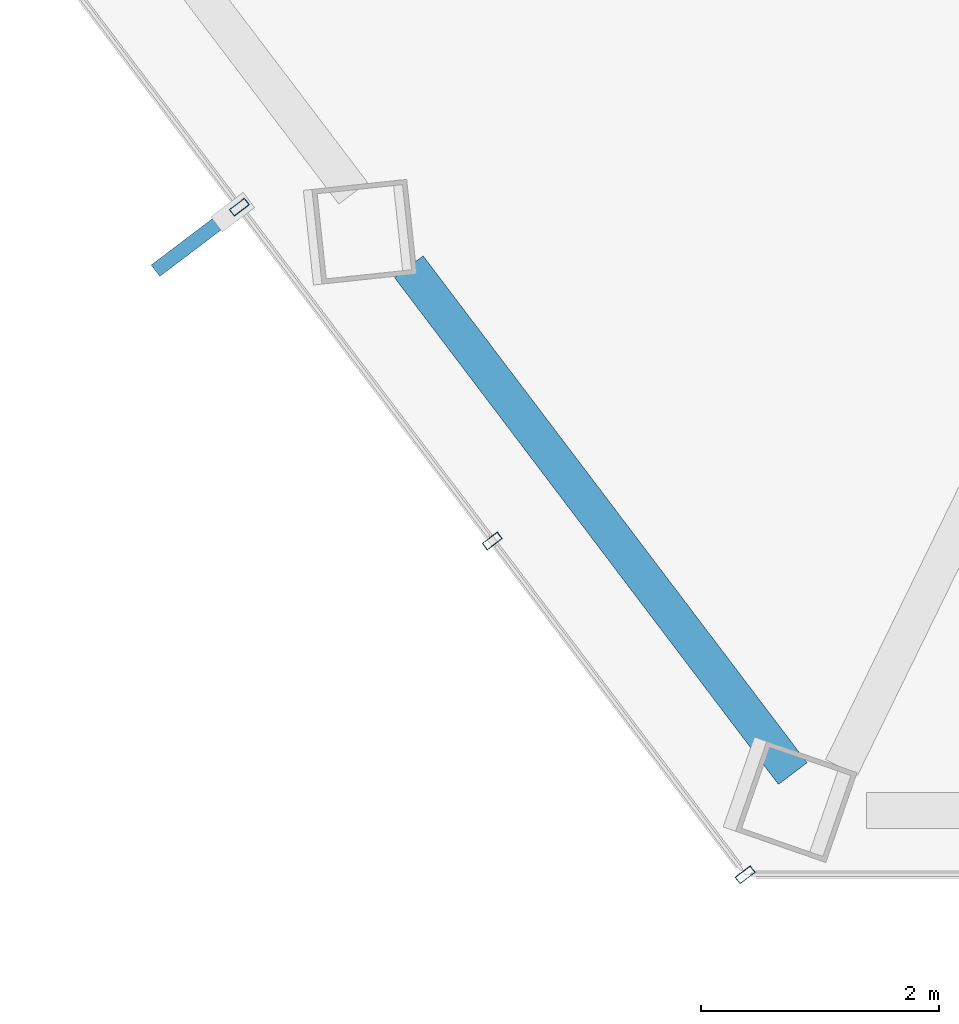
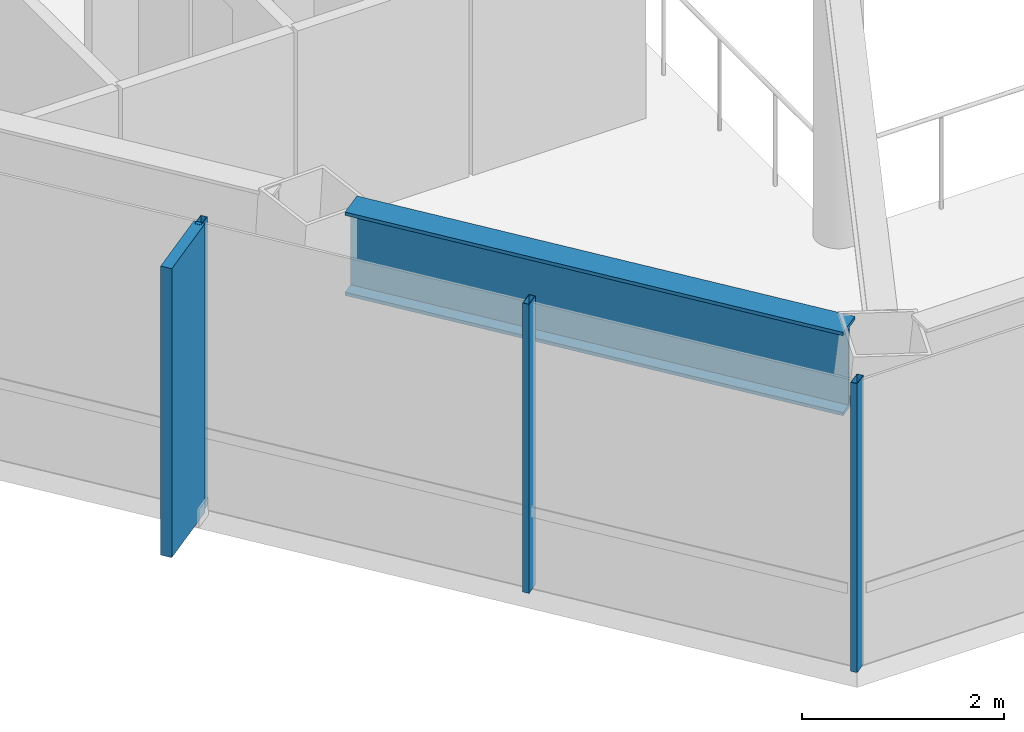
# One storey, part 2 of 28: 4 members, 1 beam, 1 element without a shape of its own.
"""IFC4 building model written with IfcOpenShell, lengths in metres."""

from ifc_helpers import new_model, si_unit, direction, frame, origin, origin_2d, place, context, subcontext, project, spatial, rectangle, hollow_rectangle, i_section, extrude, material, layer, layer_set, material_profile, profile_set, type_object, element, aggregate, save


model = new_model("IFC4")

# Units and contexts
model_context = context("Model", 3, precision=1e-05, world=origin(), true_north=direction((0.0, 1.0)))
body_context = subcontext(model_context, "Body", "Model", "MODEL_VIEW")
ifc_project = project(units=[si_unit("LENGTHUNIT", "METRE"), si_unit("AREAUNIT", "SQUARE_METRE"), si_unit("VOLUMEUNIT", "CUBIC_METRE"), si_unit("PLANEANGLEUNIT", "RADIAN"), si_unit("MASSUNIT", "GRAM", prefix="KILO")], contexts=[model_context])

# Site, building, storey
site_placement = place(None, origin())
site = spatial("IfcSite", under=ifc_project, at=site_placement, CompositionType="ELEMENT")
building_placement = place(site_placement, origin())
building = spatial("IfcBuilding", under=site, at=building_placement, Name="Zarrinselat Tower", CompositionType="ELEMENT")
storey_placement = place(building_placement, frame((0.0, 0.0, 153.340087890625)))
storey = spatial("IfcBuildingStorey", under=building, at=storey_placement, Name="L37", CompositionType="ELEMENT", Elevation=153.340087890625)

# Beam
ifc_material_1 = material(Name="Steel S460M", Category="steel")
ifc_material_profile_1 = material_profile(ifc_material_1, i_section(OverallWidth=0.302001953125, OverallDepth=1.008056640625, WebThickness=0.02099609375, FlangeThickness=0.0400390625, at=origin_2d()), Name="HEM 1000")
ifc_profile_set_1 = profile_set([ifc_material_profile_1], Name="Steel S460M")
beam_type = type_object("IfcBeamType", Name="BM-HEM1000", PredefinedType="BEAM", material=ifc_profile_set_1)
beam_placement = place(storey_placement, frame((27.390869140625, 22.9453125, 2.98583984375), z_axis=(0.603849777297, -0.797098141045, 0.0), x_axis=(0.797098141045, 0.603849777297, 0.0)))
element("IfcBeam", 1, at=beam_placement, inside=storey, type_object=beam_type, Name="L37 Perimeter Spandrel Girder SP09", PredefinedType="BEAM", context=body_context, shape_type="SweptSolid", body=[
    extrude(i_section(OverallWidth=0.302001953125, OverallDepth=1.008056640625, WebThickness=0.02099609375, FlangeThickness=0.0400390625, at=origin_2d()), origin(), (0.0, 0.0, 1.0), 5.34765625),
])

# Curtain wall, members
ifc_material_2 = material(Name="Extruded Aluminium Alloy EN AW-6063 T6", Category="aluminium")
ifc_layer = layer(ifc_material_2, 0.175048828125)
ifc_layer_set = layer_set([ifc_layer], Name="Extruded Aluminium Alloy EN AW-6063 T6")
curtain_wall_type = type_object("IfcCurtainWallType", Name="CWS-HTL", PredefinedType="NOTDEFINED", material=ifc_layer_set)
curtain_wall_placement = place(storey_placement, origin())
curtain_wall = element("IfcCurtainWall", 2, at=curtain_wall_placement, inside=storey, type_object=curtain_wall_type, Name="L37 Unitised Curtain Wall CW-L37-E03", PredefinedType="NOTDEFINED")
ifc_material_3 = material(Name="Extruded Aluminium Alloy EN AW-6063 T6", Category="aluminium")
ifc_material_profile_2 = material_profile(ifc_material_3, hollow_rectangle(XDim=0.070068359375, YDim=0.159912109375, WallThickness=0.00390625, at=origin_2d()), Name="RHS 160x70x4")
ifc_profile_set_2 = profile_set([ifc_material_profile_2], Name="Extruded Aluminium Alloy EN AW-6063 T6")
member_type_1 = type_object("IfcMemberType", Name="MEM-CW-MUL2", PredefinedType="MULLION", material=ifc_profile_set_2)
member_1_placement = place(storey_placement, frame((25.9658203125, 23.4462890625, 0.0), z_axis=(0.0, 0.0, 1.0), x_axis=(0.603856985167, -0.7970926806, 0.0)))
member_1 = element("IfcMember", 3, at=member_1_placement, type_object=member_type_1, Name="CW-L37-E03 Mullion 5", PredefinedType="MULLION", context=body_context, shape_type="SweptSolid", body=[
    extrude(hollow_rectangle(XDim=0.070068359375, YDim=0.159912109375, WallThickness=0.00390625, at=origin_2d()), origin(), (0.0, 0.0, 1.0), 3.489990234375),
])
member_2_placement = place(storey_placement, frame((28.0927734375, 20.638916015625, 0.0), z_axis=(0.0, 0.0, 1.0), x_axis=(0.603856985167, -0.7970926806, 0.0)))
member_2 = element("IfcMember", 4, at=member_2_placement, type_object=member_type_1, Name="CW-L37-E03 Mullion 6", PredefinedType="MULLION", context=body_context, shape_type="SweptSolid", body=[
    extrude(hollow_rectangle(XDim=0.070068359375, YDim=0.159912109375, WallThickness=0.00390625, at=origin_2d()), origin(), (0.0, 0.0, 1.0), 3.489990234375),
])
member_3_placement = place(storey_placement, frame((30.219482421875, 17.83154296875, 0.0), z_axis=(0.0, 0.0, 1.0), x_axis=(0.603856985167, -0.7970926806, 0.0)))
member_3 = element("IfcMember", 5, at=member_3_placement, type_object=member_type_1, Name="CW-L37-E03 Mullion 7", PredefinedType="MULLION", context=body_context, shape_type="SweptSolid", body=[
    extrude(hollow_rectangle(XDim=0.070068359375, YDim=0.159912109375, WallThickness=0.00390625, at=origin_2d()), origin(), (0.0, 0.0, 1.0), 3.489990234375),
])
ifc_material_4 = material(Name="Honed Cream Travertine Stone", Category="masonry")
ifc_material_profile_3 = material_profile(ifc_material_4, rectangle(XDim=0.1201171875, YDim=0.85009765625, at=origin_2d()), Name="FIN 850x120")
ifc_profile_set_3 = profile_set([ifc_material_profile_3], Name="Honed Cream Travertine Stone")
member_type_2 = type_object("IfcMemberType", Name="MEM-STONE-FIN", PredefinedType="USERDEFINED", material=ifc_profile_set_3)
member_4_placement = place(storey_placement, frame((25.59912109375, 23.16845703125, 0.0), z_axis=(0.0, 0.0, 1.0), x_axis=(-0.603856985167, 0.7970926806, 0.0)))
member_4 = element("IfcMember", 6, at=member_4_placement, type_object=member_type_2, Name="L37 Stone Shading Fin CW-L37-E03-05", ObjectType="FIN", PredefinedType="USERDEFINED", context=body_context, shape_type="SweptSolid", body=[
    extrude(rectangle(XDim=0.1201171875, YDim=0.85009765625, at=origin_2d()), origin(), (0.0, 0.0, 1.0), 3.489990234375),
])
aggregate(curtain_wall, [member_1, member_4, member_2, member_3])

save(model, "model.ifc")
